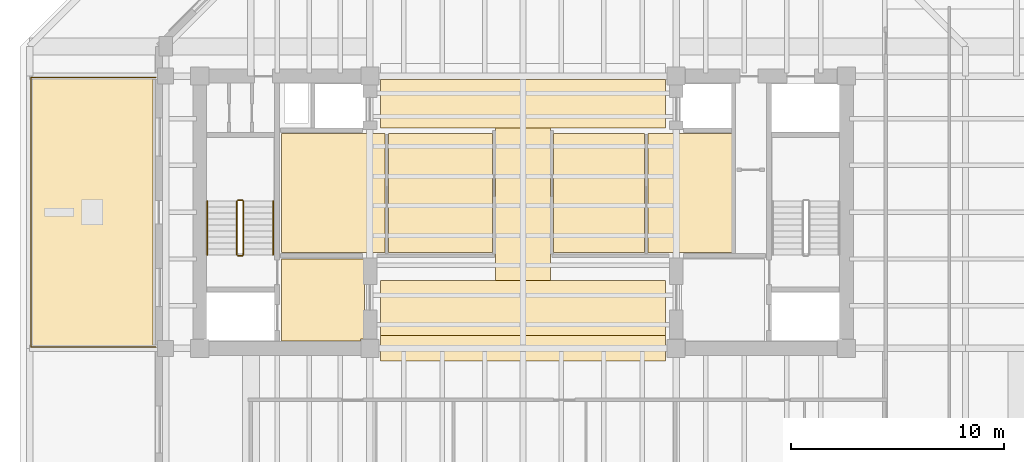
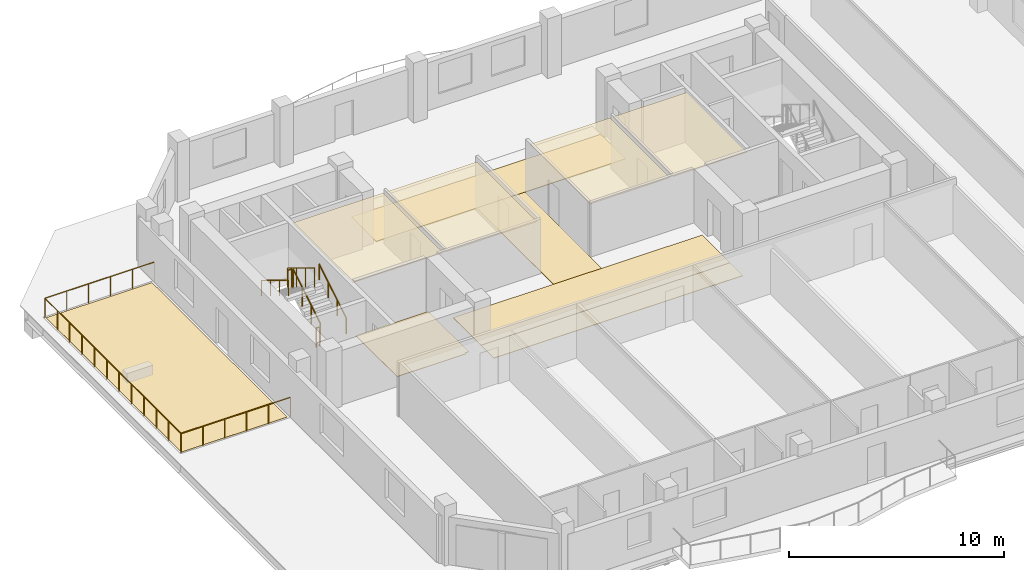
# One storey, part 8 of 11: 10 coverings, 7 railings.
"""IFC4 building model written with IfcOpenShell, lengths in metres."""

from ifc_helpers import new_model, si_unit, direction, frame, origin, origin_2d, place, context, subcontext, project, spatial, polyline, circle, outline, extrude, material, layer, layer_set, type_object, element, save


model = new_model("IFC4")

# Units and contexts
model_context = context("Model", 3, precision=1e-05, world=origin(), true_north=direction((0.0, 1.0)))
body_context = subcontext(model_context, "Body", "Model", "MODEL_VIEW")
ifc_project = project(units=[si_unit("LENGTHUNIT", "METRE"), si_unit("AREAUNIT", "SQUARE_METRE"), si_unit("VOLUMEUNIT", "CUBIC_METRE"), si_unit("PLANEANGLEUNIT", "RADIAN"), si_unit("MASSUNIT", "GRAM", prefix="KILO")], contexts=[model_context])

# Site, building, storey
site_placement = place(None, origin())
site = spatial("IfcSite", under=ifc_project, at=site_placement, CompositionType="ELEMENT")
building_placement = place(site_placement, origin())
building = spatial("IfcBuilding", under=site, at=building_placement, Name="Kranthara Brick Stack", CompositionType="ELEMENT")
storey_placement = place(building_placement, frame((0.0, 0.0, 227.89990234375)))
storey = spatial("IfcBuildingStorey", under=building, at=storey_placement, Name="L59", CompositionType="ELEMENT", Elevation=227.89990234375)

# Coverings
ifc_material_1 = material(Name="Perforated mineral-fibre acoustic ceiling tile", Category="other")
ifc_layer_1 = layer(ifc_material_1, 0.02490234375)
ifc_layer_set_1 = layer_set([ifc_layer_1], Name="Perforated mineral-fibre acoustic ceiling tile")
covering_type_1 = type_object("IfcCoveringType", Name="COV-CEIL-ACOUSTIC", PredefinedType="CEILING", material=ifc_layer_set_1)
covering_1_placement = place(storey_placement, frame((0.0, 0.0, 2.830078125)))
element("IfcCovering", 1, at=covering_1_placement, inside=storey, type_object=covering_type_1, Name="L59 L59 Sky Club Archive Study Acoustic Ceiling", PredefinedType="CEILING", context=body_context, shape_type="SweptSolid", body=[
    extrude(outline(polyline([(21.52001953125, 25.300048828125), (21.52001953125, 30.89990234375), (16.64990234375, 30.89990234375), (16.64990234375, 25.300048828125), (21.52001953125, 25.300048828125)])), origin(), (0.0, 0.0, 1.0), 0.02490234375),
])
covering_2_placement = place(storey_placement, frame((0.0, 0.0, 2.830078125)))
element("IfcCovering", 2, at=covering_2_placement, inside=storey, type_object=covering_type_1, Name="L59 L59 Sky Club Lounge Salon Acoustic Ceiling", PredefinedType="CEILING", context=body_context, shape_type="SweptSolid", body=[
    extrude(outline(polyline([(26.570068359375, 25.300048828125), (26.570068359375, 30.89990234375), (21.679931640625, 30.89990234375), (21.679931640625, 25.300048828125), (26.570068359375, 25.300048828125)])), origin(), (0.0, 0.0, 1.0), 0.02490234375),
])
covering_3_placement = place(storey_placement, frame((0.0, 0.0, 2.830078125)))
element("IfcCovering", 3, at=covering_3_placement, inside=storey, type_object=covering_type_1, Name="L59 L59 Sky Club Sky Salon Acoustic Ceiling", PredefinedType="CEILING", context=body_context, shape_type="SweptSolid", body=[
    extrude(outline(polyline([(33.719970703125, 25.300048828125), (33.719970703125, 30.89990234375), (29.429931640625, 30.89990234375), (29.429931640625, 25.300048828125), (33.719970703125, 25.300048828125)])), origin(), (0.0, 0.0, 1.0), 0.02490234375),
])
covering_4_placement = place(storey_placement, frame((0.0, 0.0, 2.830078125)))
element("IfcCovering", 4, at=covering_4_placement, inside=storey, type_object=covering_type_1, Name="L59 L59 Sky Club Wine Tasting Room Acoustic Ceiling", PredefinedType="CEILING", context=body_context, shape_type="SweptSolid", body=[
    extrude(outline(polyline([(37.8798828125, 25.300048828125), (37.8798828125, 30.89990234375), (33.8798828125, 30.89990234375), (33.8798828125, 25.300048828125), (37.8798828125, 25.300048828125)])), origin(), (0.0, 0.0, 1.0), 0.02490234375),
])
ifc_material_2 = material(Name="Honed terrazzo and porcelain floor finish", Category="stone")
ifc_layer_2 = layer(ifc_material_2, 0.030029296875)
ifc_layer_set_2 = layer_set([ifc_layer_2], Name="Honed terrazzo and porcelain floor finish")
covering_type_2 = type_object("IfcCoveringType", Name="COV-FLOR-STONE", PredefinedType="FLOORING", material=ifc_layer_set_2)
covering_5_placement = place(storey_placement, origin())
element("IfcCovering", 5, at=covering_5_placement, inside=storey, type_object=covering_type_2, Name="L59 Lift Lobby Stone Flooring", PredefinedType="FLOORING", context=body_context, shape_type="SweptSolid", body=[
    extrude(outline(polyline([(16.64990234375, 21.14990234375), (16.64990234375, 25.0), (20.550048828125, 25.0), (20.550048828125, 21.235107421875), (20.364990234375, 21.235107421875), (20.364990234375, 21.14990234375), (16.64990234375, 21.14990234375)])), origin(), (0.0, 0.0, 1.0), 0.030029296875),
])
covering_6_placement = place(storey_placement, origin())
element("IfcCovering", 6, at=covering_6_placement, inside=storey, type_object=covering_type_2, Name="L59 Lift Lobby Stone Flooring", PredefinedType="FLOORING", context=body_context, shape_type="SweptSolid", body=[
    extrude(outline(polyline([(34.699951171875, 21.39990234375), (34.699951171875, 24.0), (21.300048828125, 24.0), (21.300048828125, 21.39990234375), (34.699951171875, 21.39990234375)])), origin(), (0.0, 0.0, 1.0), 0.030029296875),
])
covering_7_placement = place(storey_placement, origin())
element("IfcCovering", 7, at=covering_7_placement, inside=storey, type_object=covering_type_2, Name="L59 Lift Lobby Stone Flooring", PredefinedType="FLOORING", context=body_context, shape_type="SweptSolid", body=[
    extrude(outline(polyline([(34.699951171875, 31.14990234375), (34.699951171875, 33.449951171875), (21.300048828125, 33.449951171875), (21.300048828125, 31.14990234375), (34.699951171875, 31.14990234375)])), origin(), (0.0, 0.0, 1.0), 0.030029296875),
])
covering_8_placement = place(storey_placement, origin())
element("IfcCovering", 8, at=covering_8_placement, inside=storey, type_object=covering_type_2, Name="L59 Lift Lobby Stone Flooring", PredefinedType="FLOORING", context=body_context, shape_type="SweptSolid", body=[
    extrude(outline(polyline([(29.300048828125, 24.0), (26.699951171875, 24.0), (26.699951171875, 31.14990234375), (29.300048828125, 31.14990234375), (29.300048828125, 24.0)])), origin(), (0.0, 0.0, 1.0), 0.030029296875),
])
covering_9_placement = place(storey_placement, origin())
element("IfcCovering", 9, at=covering_9_placement, inside=storey, type_object=covering_type_2, Name="L59 Lift Lobby Stone Flooring", PredefinedType="FLOORING", context=body_context, shape_type="SweptSolid", body=[
    extrude(outline(polyline([(34.699951171875, 20.199951171875), (21.300048828125, 20.199951171875), (21.300048828125, 21.39990234375), (34.699951171875, 21.39990234375), (34.699951171875, 20.199951171875)])), origin(), (0.0, 0.0, 1.0), 0.030029296875),
])
ifc_material_3 = material(Name="EPDM waterproofing membrane and rigid insulation", Category="other")
ifc_layer_3 = layer(ifc_material_3, 0.0400390625)
ifc_layer_set_3 = layer_set([ifc_layer_3], Name="EPDM waterproofing membrane and rigid insulation")
covering_type_3 = type_object("IfcCoveringType", Name="COV-ROOF-MEMB", PredefinedType="ROOFING", material=ifc_layer_set_3)
covering_10_placement = place(storey_placement, frame((0.0, 0.0, -0.039794921875)))
element("IfcCovering", 10, at=covering_10_placement, inside=storey, type_object=covering_type_3, Name="L59 Sky Garden Waterproofing Membrane", PredefinedType="ROOFING", context=body_context, shape_type="SweptSolid", body=[
    extrude(outline(polyline([(4.89990234375, 20.89990234375), (10.60009765625, 20.89990234375), (10.60009765625, 33.5), (4.89990234375, 33.5), (4.89990234375, 20.89990234375)])), origin(), (0.0, 0.0, 1.0), 0.039794921875),
])

# Railings
ifc_material_4 = material(Name="Painted galvanized steel stair guardrail", Category="steel")
railing_type_1 = type_object("IfcRailingType", Name="RL-STAIR-GUARD-1100", PredefinedType="GUARDRAIL", material=ifc_material_4)
railing_1_placement = place(storey_placement, frame((14.85009765625, 25.199951171875, 0.170166015625)))
element("IfcRailing", 11, at=railing_1_placement, inside=storey, type_object=railing_type_1, Name="L59 ST01 stair guard 1", PredefinedType="GUARDRAIL", context=body_context, shape_type="SweptSolid", body=[
    extrude(circle(Radius=0.02392578125, at=origin_2d()), frame((0.0, 0.0, 1.076171875), z_axis=(0.0, 0.85478489116, 0.518982456201), x_axis=(-1.0, 0.0, 0.0)), (0.0, 0.0, 1.0), 2.9482421875),
    extrude(circle(Radius=0.02099609375, at=origin_2d()), origin(), (0.0, 0.0, 1.0), 1.052001953125),
    extrude(circle(Radius=0.02099609375, at=origin_2d()), frame((0.0, 0.840087890625, 0.510009765625)), (0.0, 0.0, 1.0), 1.052001953125),
    extrude(circle(Radius=0.02099609375, at=origin_2d()), frame((0.0, 1.679931640625, 1.02001953125)), (0.0, 0.0, 1.0), 1.052001953125),
    extrude(circle(Radius=0.02099609375, at=origin_2d()), frame((0.0, 2.52001953125, 1.530029296875)), (0.0, 0.0, 1.0), 1.052001953125),
])
railing_2_placement = place(storey_placement, frame((14.800048828125, 27.77001953125, 1.7001953125)))
element("IfcRailing", 12, at=railing_2_placement, inside=storey, type_object=railing_type_1, Name="L59 ST01 stair guard 2", PredefinedType="GUARDRAIL", context=body_context, shape_type="SweptSolid", body=[
    extrude(circle(Radius=0.02392578125, at=origin_2d()), frame((0.0, 0.0, 1.076171875), z_axis=(-1.0, 0.0, 0.0), x_axis=(0.0, -1.0, 0.0)), (0.0, 0.0, 1.0), 0.199951171875),
    extrude(circle(Radius=0.02099609375, at=origin_2d()), origin(), (0.0, 0.0, 1.0), 1.052001953125),
    extrude(circle(Radius=0.02099609375, at=origin_2d()), frame((-0.199951171875, 0.0, 0.0)), (0.0, 0.0, 1.0), 1.052001953125),
])
railing_3_placement = place(storey_placement, frame((14.550048828125, 27.719970703125, 1.8701171875)))
element("IfcRailing", 13, at=railing_3_placement, inside=storey, type_object=railing_type_1, Name="L59 ST01 stair guard 3", PredefinedType="GUARDRAIL", context=body_context, shape_type="SweptSolid", body=[
    extrude(circle(Radius=0.02392578125, at=origin_2d()), frame((0.0, 0.0, 1.076171875), z_axis=(0.0, -0.85478489116, 0.518982456201), x_axis=(1.0, 0.0, 0.0)), (0.0, 0.0, 1.0), 2.9482421875),
    extrude(circle(Radius=0.02099609375, at=origin_2d()), origin(), (0.0, 0.0, 1.0), 1.052001953125),
    extrude(circle(Radius=0.02099609375, at=origin_2d()), frame((0.0, -0.840087890625, 0.510009765625)), (0.0, 0.0, 1.0), 1.052001953125),
    extrude(circle(Radius=0.02099609375, at=origin_2d()), frame((0.0, -1.679931640625, 1.02001953125)), (0.0, 0.0, 1.0), 1.052001953125),
    extrude(circle(Radius=0.02099609375, at=origin_2d()), frame((0.0, -2.52001953125, 1.530029296875)), (0.0, 0.0, 1.0), 1.052001953125),
])
railing_4_placement = place(storey_placement, frame((14.800048828125, 25.14990234375, 0.0)))
element("IfcRailing", 14, at=railing_4_placement, inside=storey, type_object=railing_type_1, Name="L59 ST01 stair guard 4", PredefinedType="GUARDRAIL", context=body_context, shape_type="SweptSolid", body=[
    extrude(circle(Radius=0.02392578125, at=origin_2d()), frame((0.0, 0.0, 1.076171875), z_axis=(-1.0, 0.0, 0.0), x_axis=(0.0, -1.0, 0.0)), (0.0, 0.0, 1.0), 0.199951171875),
    extrude(circle(Radius=0.02099609375, at=origin_2d()), origin(), (0.0, 0.0, 1.0), 1.052001953125),
    extrude(circle(Radius=0.02099609375, at=origin_2d()), frame((-0.199951171875, 0.0, 0.0)), (0.0, 0.0, 1.0), 1.052001953125),
])
ifc_material_5 = material(Name="Brushed stainless steel tubular handrail", Category="steel")
railing_type_2 = type_object("IfcRailingType", Name="RL-STAIR-HAND-900", PredefinedType="HANDRAIL", material=ifc_material_5)
railing_5_placement = place(storey_placement, frame((16.25, 25.199951171875, 0.170166015625)))
element("IfcRailing", 15, at=railing_5_placement, inside=storey, type_object=railing_type_2, Name="L59 ST01 stair handrail 1", PredefinedType="HANDRAIL", context=body_context, shape_type="SweptSolid", body=[
    extrude(circle(Radius=0.02392578125, at=origin_2d()), frame((0.0, 0.0, 0.8759765625), z_axis=(0.0, 0.85478489116, 0.518982456201), x_axis=(-1.0, 0.0, 0.0)), (0.0, 0.0, 1.0), 2.9482421875),
    extrude(circle(Radius=0.02099609375, at=origin_2d()), origin(), (0.0, 0.0, 1.0), 0.851806640625),
    extrude(circle(Radius=0.02099609375, at=origin_2d()), frame((0.0, 0.840087890625, 0.510009765625)), (0.0, 0.0, 1.0), 0.851806640625),
    extrude(circle(Radius=0.02099609375, at=origin_2d()), frame((0.0, 1.679931640625, 1.02001953125)), (0.0, 0.0, 1.0), 0.851806640625),
    extrude(circle(Radius=0.02099609375, at=origin_2d()), frame((0.0, 2.52001953125, 1.530029296875)), (0.0, 0.0, 1.0), 0.851806640625),
])
railing_6_placement = place(storey_placement, frame((13.14990234375, 27.719970703125, 1.8701171875)))
element("IfcRailing", 16, at=railing_6_placement, inside=storey, type_object=railing_type_2, Name="L59 ST01 stair handrail 2", PredefinedType="HANDRAIL", context=body_context, shape_type="SweptSolid", body=[
    extrude(circle(Radius=0.02392578125, at=origin_2d()), frame((0.0, 0.0, 0.8759765625), z_axis=(0.0, -0.85478489116, 0.518982456201), x_axis=(1.0, 0.0, 0.0)), (0.0, 0.0, 1.0), 2.9482421875),
    extrude(circle(Radius=0.02099609375, at=origin_2d()), origin(), (0.0, 0.0, 1.0), 0.851806640625),
    extrude(circle(Radius=0.02099609375, at=origin_2d()), frame((0.0, -0.840087890625, 0.510009765625)), (0.0, 0.0, 1.0), 0.851806640625),
    extrude(circle(Radius=0.02099609375, at=origin_2d()), frame((0.0, -1.679931640625, 1.02001953125)), (0.0, 0.0, 1.0), 0.851806640625),
    extrude(circle(Radius=0.02099609375, at=origin_2d()), frame((0.0, -2.52001953125, 1.530029296875)), (0.0, 0.0, 1.0), 0.851806640625),
])
ifc_material_6 = material(Name="Bronze anodised aluminium guardrail", Category="aluminium")
railing_type_3 = type_object("IfcRailingType", Name="RL-TERR-1100", PredefinedType="GUARDRAIL", material=ifc_material_6)
railing_7_placement = place(storey_placement, frame((10.739990234375, 20.860107421875, 0.0)))
element("IfcRailing", 17, at=railing_7_placement, inside=storey, type_object=railing_type_3, Name="L59 Sky Garden Perimeter Guardrail", PredefinedType="GUARDRAIL", context=body_context, shape_type="SweptSolid", body=[
    extrude(circle(Radius=0.02392578125, at=origin_2d()), frame((0.0, 0.0, 1.09619140625), z_axis=(-1.0, 0.0, 0.0), x_axis=(0.0, -1.0, 0.0)), (0.0, 0.0, 1.0), 5.8798828125),
    extrude(circle(Radius=0.02392578125, at=origin_2d()), frame((-5.8798828125, 0.0, 1.09619140625), z_axis=(0.0, 1.0, 0.0), x_axis=(-1.0, 0.0, 0.0)), (0.0, 0.0, 1.0), 12.679931640625),
    extrude(circle(Radius=0.02392578125, at=origin_2d()), frame((-5.8798828125, 12.679931640625, 1.09619140625), z_axis=(1.0, 0.0, 0.0), x_axis=(0.0, 1.0, 0.0)), (0.0, 0.0, 1.0), 5.8798828125),
    extrude(circle(Radius=0.02099609375, at=origin_2d()), origin(), (0.0, 0.0, 1.0), 1.072021484375),
    extrude(circle(Radius=0.02099609375, at=origin_2d()), frame((-1.176025390625, 0.0, 0.0)), (0.0, 0.0, 1.0), 1.072021484375),
    extrude(circle(Radius=0.02099609375, at=origin_2d()), frame((-2.35205078125, 0.0, 0.0)), (0.0, 0.0, 1.0), 1.072021484375),
    extrude(circle(Radius=0.02099609375, at=origin_2d()), frame((-3.52783203125, 0.0, 0.0)), (0.0, 0.0, 1.0), 1.072021484375),
    extrude(circle(Radius=0.02099609375, at=origin_2d()), frame((-4.703857421875, 0.0, 0.0)), (0.0, 0.0, 1.0), 1.072021484375),
    extrude(circle(Radius=0.02099609375, at=origin_2d()), frame((-5.8798828125, 0.0, 0.0)), (0.0, 0.0, 1.0), 1.072021484375),
    extrude(circle(Radius=0.02099609375, at=origin_2d()), frame((-5.8798828125, 1.15283203125, 0.0)), (0.0, 0.0, 1.0), 1.072021484375),
    extrude(circle(Radius=0.02099609375, at=origin_2d()), frame((-5.8798828125, 2.305419921875, 0.0)), (0.0, 0.0, 1.0), 1.072021484375),
    extrude(circle(Radius=0.02099609375, at=origin_2d()), frame((-5.8798828125, 3.458251953125, 0.0)), (0.0, 0.0, 1.0), 1.072021484375),
    extrude(circle(Radius=0.02099609375, at=origin_2d()), frame((-5.8798828125, 4.61083984375, 0.0)), (0.0, 0.0, 1.0), 1.072021484375),
    extrude(circle(Radius=0.02099609375, at=origin_2d()), frame((-5.8798828125, 5.763671875, 0.0)), (0.0, 0.0, 1.0), 1.072021484375),
    extrude(circle(Radius=0.02099609375, at=origin_2d()), frame((-5.8798828125, 6.916259765625, 0.0)), (0.0, 0.0, 1.0), 1.072021484375),
    extrude(circle(Radius=0.02099609375, at=origin_2d()), frame((-5.8798828125, 8.069091796875, 0.0)), (0.0, 0.0, 1.0), 1.072021484375),
    extrude(circle(Radius=0.02099609375, at=origin_2d()), frame((-5.8798828125, 9.2216796875, 0.0)), (0.0, 0.0, 1.0), 1.072021484375),
    extrude(circle(Radius=0.02099609375, at=origin_2d()), frame((-5.8798828125, 10.37451171875, 0.0)), (0.0, 0.0, 1.0), 1.072021484375),
    extrude(circle(Radius=0.02099609375, at=origin_2d()), frame((-5.8798828125, 11.527099609375, 0.0)), (0.0, 0.0, 1.0), 1.072021484375),
    extrude(circle(Radius=0.02099609375, at=origin_2d()), frame((-5.8798828125, 12.679931640625, 0.0)), (0.0, 0.0, 1.0), 1.072021484375),
    extrude(circle(Radius=0.02099609375, at=origin_2d()), frame((-4.703857421875, 12.679931640625, 0.0)), (0.0, 0.0, 1.0), 1.072021484375),
    extrude(circle(Radius=0.02099609375, at=origin_2d()), frame((-3.52783203125, 12.679931640625, 0.0)), (0.0, 0.0, 1.0), 1.072021484375),
    extrude(circle(Radius=0.02099609375, at=origin_2d()), frame((-2.35205078125, 12.679931640625, 0.0)), (0.0, 0.0, 1.0), 1.072021484375),
    extrude(circle(Radius=0.02099609375, at=origin_2d()), frame((-1.176025390625, 12.679931640625, 0.0)), (0.0, 0.0, 1.0), 1.072021484375),
    extrude(circle(Radius=0.02099609375, at=origin_2d()), frame((0.0, 12.679931640625, 0.0)), (0.0, 0.0, 1.0), 1.072021484375),
])

save(model, "model.ifc")
